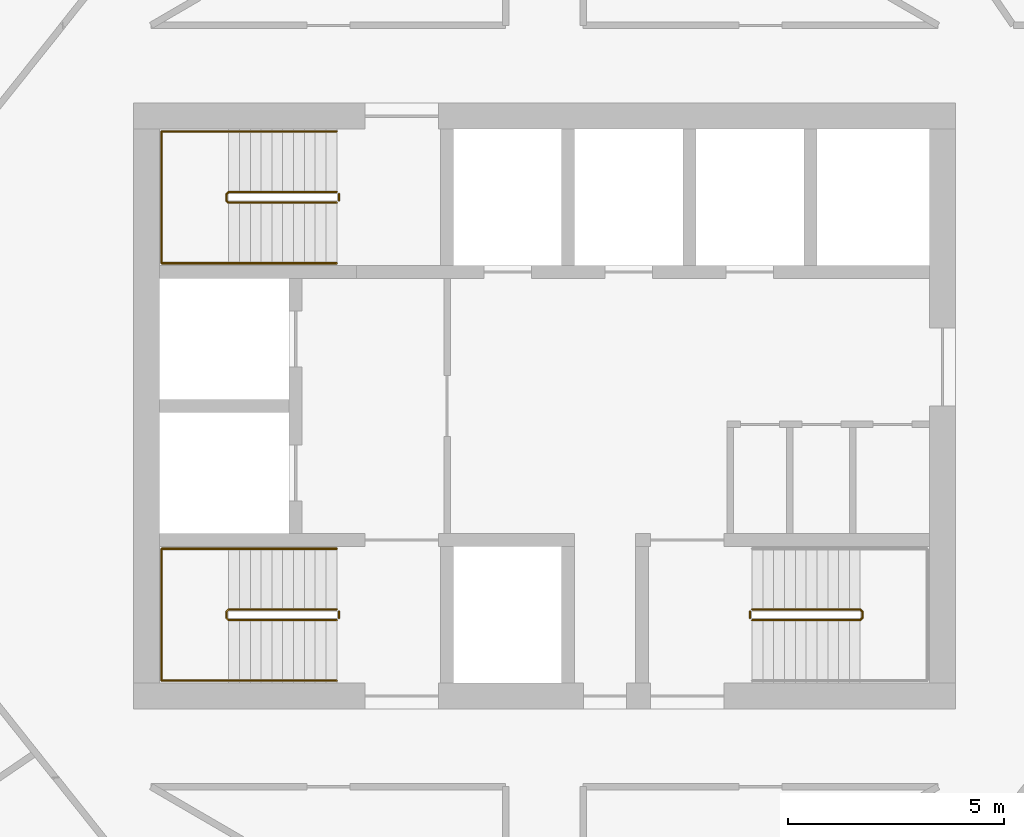
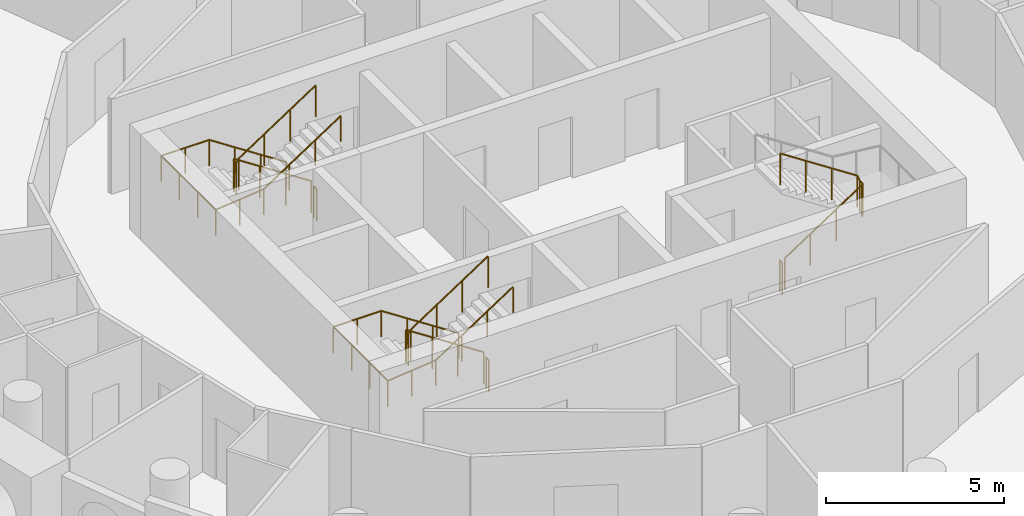
# One storey, part 12 of 13: 8 railings.
"""IFC4 building model written with IfcOpenShell, lengths in metres."""

from ifc_helpers import new_model, si_unit, direction, frame, origin, origin_2d, place, context, subcontext, project, spatial, circle, extrude, material, type_object, element, save


model = new_model("IFC4")

# Units and contexts
model_context = context("Model", 3, precision=1e-05, world=origin(), true_north=direction((0.0, 1.0)))
body_context = subcontext(model_context, "Body", "Model", "MODEL_VIEW")
ifc_project = project(units=[si_unit("LENGTHUNIT", "METRE"), si_unit("AREAUNIT", "SQUARE_METRE"), si_unit("VOLUMEUNIT", "CUBIC_METRE"), si_unit("PLANEANGLEUNIT", "RADIAN"), si_unit("MASSUNIT", "GRAM", prefix="KILO")], contexts=[model_context])

# Site, building, storey
site_placement = place(None, origin())
site = spatial("IfcSite", under=ifc_project, at=site_placement, CompositionType="ELEMENT")
building_placement = place(site_placement, origin())
building = spatial("IfcBuilding", under=site, at=building_placement, Name="Tracery Tower", CompositionType="ELEMENT")
storey_placement = place(building_placement, frame((0.0, 0.0, 231.0)))
storey = spatial("IfcBuildingStorey", under=building, at=storey_placement, Name="L59", CompositionType="ELEMENT", Elevation=231.0)

# Railings
ifc_material_1 = material(Name="Stainless steel and laminated glass", Category="steel")
railing_type_1 = type_object("IfcRailingType", Name="Stair guard 1100", PredefinedType="GUARDRAIL", material=ifc_material_1)
railing_1_placement = place(storey_placement, frame((-4.800048828125, -4.699951171875, 0.16357421875)))
element("IfcRailing", 1, at=railing_1_placement, inside=storey, type_object=railing_type_1, Name="L59 stair ST1 guard 1", PredefinedType="GUARDRAIL", context=body_context, shape_type="SweptSolid", body=[
    extrude(circle(Radius=0.02392578125, at=origin_2d()), frame((0.0, 0.0, 1.076171875), z_axis=(-0.83668449804, 0.0, 0.54768517484), x_axis=(0.0, -1.0, 0.0)), (0.0, 0.0, 1.0), 2.988037109375),
    extrude(circle(Radius=0.02392578125, at=origin_2d()), frame((-2.5, 0.0, 2.71240234375), z_axis=(-0.707106781187, -0.707106781187, 0.0), x_axis=(0.707106781187, -0.707106781187, 0.0)), (0.0, 0.0, 1.0), 0.07080078125),
    extrude(circle(Radius=0.02392578125, at=origin_2d()), frame((-2.550048828125, -0.050048828125, 2.71240234375), z_axis=(0.0, -1.0, 0.0), x_axis=(1.0, 0.0, 0.0)), (0.0, 0.0, 1.0), 0.14990234375),
    extrude(circle(Radius=0.02392578125, at=origin_2d()), frame((-2.550048828125, -0.199951171875, 2.71240234375), z_axis=(0.280808744504, -0.280808744504, 0.917765164963), x_axis=(0.707106781187, 0.707106781187, 0.0)), (0.0, 0.0, 1.0), 0.17822265625),
    extrude(circle(Radius=0.02392578125, at=origin_2d()), frame((-2.5, -0.25, 2.8759765625), z_axis=(0.83668449804, 0.0, 0.54768517484), x_axis=(0.0, 1.0, 0.0)), (0.0, 0.0, 1.0), 2.988037109375),
    extrude(circle(Radius=0.02099609375, at=origin_2d()), origin(), (0.0, 0.0, 1.0), 1.052001953125),
    extrude(circle(Radius=0.02099609375, at=origin_2d()), frame((-0.833251953125, 0.0, 0.54541015625)), (0.0, 0.0, 1.0), 1.052001953125),
    extrude(circle(Radius=0.02099609375, at=origin_2d()), frame((-1.666748046875, 0.0, 1.091064453125)), (0.0, 0.0, 1.0), 1.052001953125),
    extrude(circle(Radius=0.02099609375, at=origin_2d()), frame((-2.5, 0.0, 1.636474609375)), (0.0, 0.0, 1.0), 1.052001953125),
    extrude(circle(Radius=0.02099609375, at=origin_2d()), frame((-2.550048828125, -0.050048828125, 1.636474609375)), (0.0, 0.0, 1.0), 1.052001953125),
    extrude(circle(Radius=0.02099609375, at=origin_2d()), frame((-2.550048828125, -0.199951171875, 1.636474609375)), (0.0, 0.0, 1.0), 1.052001953125),
    extrude(circle(Radius=0.02099609375, at=origin_2d()), frame((-2.5, -0.25, 1.800048828125)), (0.0, 0.0, 1.0), 1.052001953125),
    extrude(circle(Radius=0.02099609375, at=origin_2d()), frame((-1.666748046875, -0.25, 2.345458984375)), (0.0, 0.0, 1.0), 1.052001953125),
    extrude(circle(Radius=0.02099609375, at=origin_2d()), frame((-0.833251953125, -0.25, 2.89111328125)), (0.0, 0.0, 1.0), 1.052001953125),
    extrude(circle(Radius=0.02099609375, at=origin_2d()), frame((0.0, -0.25, 3.4365234375)), (0.0, 0.0, 1.0), 1.052001953125),
])
railing_2_placement = place(storey_placement, frame((-4.75, -4.75, 0.0)))
element("IfcRailing", 2, at=railing_2_placement, inside=storey, type_object=railing_type_1, Name="L59 stair ST1 guard 2", PredefinedType="GUARDRAIL", context=body_context, shape_type="SweptSolid", body=[
    extrude(circle(Radius=0.02392578125, at=origin_2d()), frame((0.0, 0.0, 1.076171875), z_axis=(0.0, -1.0, 0.0), x_axis=(1.0, 0.0, 0.0)), (0.0, 0.0, 1.0), 0.14990234375),
    extrude(circle(Radius=0.02099609375, at=origin_2d()), origin(), (0.0, 0.0, 1.0), 1.052001953125),
    extrude(circle(Radius=0.02099609375, at=origin_2d()), frame((0.0, -0.14990234375, 0.0)), (0.0, 0.0, 1.0), 1.052001953125),
])
railing_3_placement = place(storey_placement, frame((-4.800048828125, 4.949951171875, 0.16357421875)))
element("IfcRailing", 3, at=railing_3_placement, inside=storey, type_object=railing_type_1, Name="L59 stair ST3 guard 1", PredefinedType="GUARDRAIL", context=body_context, shape_type="SweptSolid", body=[
    extrude(circle(Radius=0.02392578125, at=origin_2d()), frame((0.0, 0.0, 1.076171875), z_axis=(-0.83668449804, 0.0, 0.54768517484), x_axis=(0.0, -1.0, 0.0)), (0.0, 0.0, 1.0), 2.988037109375),
    extrude(circle(Radius=0.02392578125, at=origin_2d()), frame((-2.5, 0.0, 2.71240234375), z_axis=(-0.707106781187, -0.707106781187, 0.0), x_axis=(0.707106781187, -0.707106781187, 0.0)), (0.0, 0.0, 1.0), 0.07080078125),
    extrude(circle(Radius=0.02392578125, at=origin_2d()), frame((-2.550048828125, -0.050048828125, 2.71240234375), z_axis=(0.0, -1.0, 0.0), x_axis=(1.0, 0.0, 0.0)), (0.0, 0.0, 1.0), 0.14990234375),
    extrude(circle(Radius=0.02392578125, at=origin_2d()), frame((-2.550048828125, -0.199951171875, 2.71240234375), z_axis=(0.280808744504, -0.280808744504, 0.917765164963), x_axis=(0.707106781187, 0.707106781187, 0.0)), (0.0, 0.0, 1.0), 0.17822265625),
    extrude(circle(Radius=0.02392578125, at=origin_2d()), frame((-2.5, -0.25, 2.8759765625), z_axis=(0.83668449804, 0.0, 0.54768517484), x_axis=(0.0, 1.0, 0.0)), (0.0, 0.0, 1.0), 2.988037109375),
    extrude(circle(Radius=0.02099609375, at=origin_2d()), origin(), (0.0, 0.0, 1.0), 1.052001953125),
    extrude(circle(Radius=0.02099609375, at=origin_2d()), frame((-0.833251953125, 0.0, 0.54541015625)), (0.0, 0.0, 1.0), 1.052001953125),
    extrude(circle(Radius=0.02099609375, at=origin_2d()), frame((-1.666748046875, 0.0, 1.091064453125)), (0.0, 0.0, 1.0), 1.052001953125),
    extrude(circle(Radius=0.02099609375, at=origin_2d()), frame((-2.5, 0.0, 1.636474609375)), (0.0, 0.0, 1.0), 1.052001953125),
    extrude(circle(Radius=0.02099609375, at=origin_2d()), frame((-2.550048828125, -0.050048828125, 1.636474609375)), (0.0, 0.0, 1.0), 1.052001953125),
    extrude(circle(Radius=0.02099609375, at=origin_2d()), frame((-2.550048828125, -0.199951171875, 1.636474609375)), (0.0, 0.0, 1.0), 1.052001953125),
    extrude(circle(Radius=0.02099609375, at=origin_2d()), frame((-2.5, -0.25, 1.800048828125)), (0.0, 0.0, 1.0), 1.052001953125),
    extrude(circle(Radius=0.02099609375, at=origin_2d()), frame((-1.666748046875, -0.25, 2.345458984375)), (0.0, 0.0, 1.0), 1.052001953125),
    extrude(circle(Radius=0.02099609375, at=origin_2d()), frame((-0.833251953125, -0.25, 2.89111328125)), (0.0, 0.0, 1.0), 1.052001953125),
    extrude(circle(Radius=0.02099609375, at=origin_2d()), frame((0.0, -0.25, 3.4365234375)), (0.0, 0.0, 1.0), 1.052001953125),
])
railing_4_placement = place(storey_placement, frame((-4.75, 4.89990234375, 0.0)))
element("IfcRailing", 4, at=railing_4_placement, inside=storey, type_object=railing_type_1, Name="L59 stair ST3 guard 2", PredefinedType="GUARDRAIL", context=body_context, shape_type="SweptSolid", body=[
    extrude(circle(Radius=0.02392578125, at=origin_2d()), frame((0.0, 0.0, 1.076171875), z_axis=(0.0, -1.0, 0.0), x_axis=(1.0, 0.0, 0.0)), (0.0, 0.0, 1.0), 0.14990234375),
    extrude(circle(Radius=0.02099609375, at=origin_2d()), origin(), (0.0, 0.0, 1.0), 1.052001953125),
    extrude(circle(Radius=0.02099609375, at=origin_2d()), frame((0.0, -0.14990234375, 0.0)), (0.0, 0.0, 1.0), 1.052001953125),
])
railing_5_placement = place(storey_placement, frame((4.800048828125, -4.949951171875, 0.16357421875)))
element("IfcRailing", 5, at=railing_5_placement, inside=storey, type_object=railing_type_1, Name="L59 stair ST2 guard 1", PredefinedType="GUARDRAIL", context=body_context, shape_type="SweptSolid", body=[
    extrude(circle(Radius=0.02392578125, at=origin_2d()), frame((0.0, 0.0, 1.076171875), z_axis=(0.83668449804, 0.0, 0.54768517484), x_axis=(0.0, 1.0, 0.0)), (0.0, 0.0, 1.0), 2.988037109375),
    extrude(circle(Radius=0.02392578125, at=origin_2d()), frame((2.5, 0.0, 2.71240234375), z_axis=(0.707106781187, 0.707106781187, 0.0), x_axis=(-0.707106781187, 0.707106781187, 0.0)), (0.0, 0.0, 1.0), 0.07080078125),
    extrude(circle(Radius=0.02392578125, at=origin_2d()), frame((2.550048828125, 0.050048828125, 2.71240234375), z_axis=(0.0, 1.0, 0.0), x_axis=(-1.0, 0.0, 0.0)), (0.0, 0.0, 1.0), 0.14990234375),
    extrude(circle(Radius=0.02392578125, at=origin_2d()), frame((2.550048828125, 0.199951171875, 2.71240234375), z_axis=(-0.280808744504, 0.280808744504, 0.917765164963), x_axis=(-0.707106781187, -0.707106781187, 0.0)), (0.0, 0.0, 1.0), 0.17822265625),
    extrude(circle(Radius=0.02392578125, at=origin_2d()), frame((2.5, 0.25, 2.8759765625), z_axis=(-0.83668449804, 0.0, 0.54768517484), x_axis=(0.0, -1.0, 0.0)), (0.0, 0.0, 1.0), 2.988037109375),
    extrude(circle(Radius=0.02099609375, at=origin_2d()), origin(), (0.0, 0.0, 1.0), 1.052001953125),
    extrude(circle(Radius=0.02099609375, at=origin_2d()), frame((0.833251953125, 0.0, 0.54541015625)), (0.0, 0.0, 1.0), 1.052001953125),
    extrude(circle(Radius=0.02099609375, at=origin_2d()), frame((1.666748046875, 0.0, 1.091064453125)), (0.0, 0.0, 1.0), 1.052001953125),
    extrude(circle(Radius=0.02099609375, at=origin_2d()), frame((2.5, 0.0, 1.636474609375)), (0.0, 0.0, 1.0), 1.052001953125),
    extrude(circle(Radius=0.02099609375, at=origin_2d()), frame((2.550048828125, 0.050048828125, 1.636474609375)), (0.0, 0.0, 1.0), 1.052001953125),
    extrude(circle(Radius=0.02099609375, at=origin_2d()), frame((2.550048828125, 0.199951171875, 1.636474609375)), (0.0, 0.0, 1.0), 1.052001953125),
    extrude(circle(Radius=0.02099609375, at=origin_2d()), frame((2.5, 0.25, 1.800048828125)), (0.0, 0.0, 1.0), 1.052001953125),
    extrude(circle(Radius=0.02099609375, at=origin_2d()), frame((1.666748046875, 0.25, 2.345458984375)), (0.0, 0.0, 1.0), 1.052001953125),
    extrude(circle(Radius=0.02099609375, at=origin_2d()), frame((0.833251953125, 0.25, 2.89111328125)), (0.0, 0.0, 1.0), 1.052001953125),
    extrude(circle(Radius=0.02099609375, at=origin_2d()), frame((0.0, 0.25, 3.4365234375)), (0.0, 0.0, 1.0), 1.052001953125),
])
railing_6_placement = place(storey_placement, frame((4.75, -4.89990234375, 0.0)))
element("IfcRailing", 6, at=railing_6_placement, inside=storey, type_object=railing_type_1, Name="L59 stair ST2 guard 2", PredefinedType="GUARDRAIL", context=body_context, shape_type="SweptSolid", body=[
    extrude(circle(Radius=0.02392578125, at=origin_2d()), frame((0.0, 0.0, 1.076171875), z_axis=(0.0, 1.0, 0.0), x_axis=(-1.0, 0.0, 0.0)), (0.0, 0.0, 1.0), 0.14990234375),
    extrude(circle(Radius=0.02099609375, at=origin_2d()), origin(), (0.0, 0.0, 1.0), 1.052001953125),
    extrude(circle(Radius=0.02099609375, at=origin_2d()), frame((0.0, 0.14990234375, 0.0)), (0.0, 0.0, 1.0), 1.052001953125),
])
ifc_material_2 = material(Name="Stainless steel and laminated glass", Category="steel")
railing_type_2 = type_object("IfcRailingType", Name="Stair handrail 900", PredefinedType="HANDRAIL", material=ifc_material_2)
railing_7_placement = place(storey_placement, frame((-4.800048828125, -3.300048828125, 0.16357421875)))
element("IfcRailing", 7, at=railing_7_placement, inside=storey, type_object=railing_type_2, Name="L59 stair ST1 handrail 1", PredefinedType="HANDRAIL", context=body_context, shape_type="SweptSolid", body=[
    extrude(circle(Radius=0.02392578125, at=origin_2d()), frame((0.0, 0.0, 0.8759765625), z_axis=(-0.83668449804, 0.0, 0.54768517484), x_axis=(0.0, -1.0, 0.0)), (0.0, 0.0, 1.0), 2.988037109375),
    extrude(circle(Radius=0.02392578125, at=origin_2d()), frame((-2.5, 0.0, 2.51220703125), z_axis=(-1.0, 0.0, 0.0), x_axis=(0.0, -1.0, 0.0)), (0.0, 0.0, 1.0), 1.550048828125),
    extrude(circle(Radius=0.02392578125, at=origin_2d()), frame((-4.050048828125, 0.0, 2.51220703125), z_axis=(0.0, -1.0, 0.0), x_axis=(1.0, 0.0, 0.0)), (0.0, 0.0, 1.0), 3.050048828125),
    extrude(circle(Radius=0.02392578125, at=origin_2d()), frame((-4.050048828125, -3.050048828125, 2.51220703125), z_axis=(0.994477953863, 0.0, 0.104945696817), x_axis=(0.0, 1.0, 0.0)), (0.0, 0.0, 1.0), 1.55859375),
    extrude(circle(Radius=0.02392578125, at=origin_2d()), frame((-2.5, -3.050048828125, 2.67578125), z_axis=(0.83668449804, 0.0, 0.54768517484), x_axis=(0.0, 1.0, 0.0)), (0.0, 0.0, 1.0), 2.988037109375),
    extrude(circle(Radius=0.02099609375, at=origin_2d()), origin(), (0.0, 0.0, 1.0), 0.851806640625),
    extrude(circle(Radius=0.02099609375, at=origin_2d()), frame((-0.833251953125, 0.0, 0.54541015625)), (0.0, 0.0, 1.0), 0.851806640625),
    extrude(circle(Radius=0.02099609375, at=origin_2d()), frame((-1.666748046875, 0.0, 1.091064453125)), (0.0, 0.0, 1.0), 0.851806640625),
    extrude(circle(Radius=0.02099609375, at=origin_2d()), frame((-2.5, 0.0, 1.636474609375)), (0.0, 0.0, 1.0), 0.851806640625),
    extrude(circle(Radius=0.02099609375, at=origin_2d()), frame((-3.27490234375, 0.0, 1.636474609375)), (0.0, 0.0, 1.0), 0.851806640625),
    extrude(circle(Radius=0.02099609375, at=origin_2d()), frame((-4.050048828125, 0.0, 1.636474609375)), (0.0, 0.0, 1.0), 0.851806640625),
    extrude(circle(Radius=0.02099609375, at=origin_2d()), frame((-4.050048828125, -1.0166015625, 1.636474609375)), (0.0, 0.0, 1.0), 0.851806640625),
    extrude(circle(Radius=0.02099609375, at=origin_2d()), frame((-4.050048828125, -2.033447265625, 1.636474609375)), (0.0, 0.0, 1.0), 0.851806640625),
    extrude(circle(Radius=0.02099609375, at=origin_2d()), frame((-4.050048828125, -3.050048828125, 1.636474609375)), (0.0, 0.0, 1.0), 0.851806640625),
    extrude(circle(Radius=0.02099609375, at=origin_2d()), frame((-3.27490234375, -3.050048828125, 1.71826171875)), (0.0, 0.0, 1.0), 0.851806640625),
    extrude(circle(Radius=0.02099609375, at=origin_2d()), frame((-2.5, -3.050048828125, 1.800048828125)), (0.0, 0.0, 1.0), 0.851806640625),
    extrude(circle(Radius=0.02099609375, at=origin_2d()), frame((-1.666748046875, -3.050048828125, 2.345458984375)), (0.0, 0.0, 1.0), 0.851806640625),
    extrude(circle(Radius=0.02099609375, at=origin_2d()), frame((-0.833251953125, -3.050048828125, 2.89111328125)), (0.0, 0.0, 1.0), 0.851806640625),
    extrude(circle(Radius=0.02099609375, at=origin_2d()), frame((0.0, -3.050048828125, 3.4365234375)), (0.0, 0.0, 1.0), 0.851806640625),
])
railing_8_placement = place(storey_placement, frame((-4.800048828125, 6.35009765625, 0.16357421875)))
element("IfcRailing", 8, at=railing_8_placement, inside=storey, type_object=railing_type_2, Name="L59 stair ST3 handrail 1", PredefinedType="HANDRAIL", context=body_context, shape_type="SweptSolid", body=[
    extrude(circle(Radius=0.02392578125, at=origin_2d()), frame((0.0, 0.0, 0.8759765625), z_axis=(-0.83668449804, 0.0, 0.54768517484), x_axis=(0.0, -1.0, 0.0)), (0.0, 0.0, 1.0), 2.988037109375),
    extrude(circle(Radius=0.02392578125, at=origin_2d()), frame((-2.5, 0.0, 2.51220703125), z_axis=(-1.0, 0.0, 0.0), x_axis=(0.0, -1.0, 0.0)), (0.0, 0.0, 1.0), 1.550048828125),
    extrude(circle(Radius=0.02392578125, at=origin_2d()), frame((-4.050048828125, 0.0, 2.51220703125), z_axis=(0.0, -1.0, 0.0), x_axis=(1.0, 0.0, 0.0)), (0.0, 0.0, 1.0), 3.050048828125),
    extrude(circle(Radius=0.02392578125, at=origin_2d()), frame((-4.050048828125, -3.050048828125, 2.51220703125), z_axis=(0.994477953863, 0.0, 0.104945696817), x_axis=(0.0, 1.0, 0.0)), (0.0, 0.0, 1.0), 1.55859375),
    extrude(circle(Radius=0.02392578125, at=origin_2d()), frame((-2.5, -3.050048828125, 2.67578125), z_axis=(0.83668449804, 0.0, 0.54768517484), x_axis=(0.0, 1.0, 0.0)), (0.0, 0.0, 1.0), 2.988037109375),
    extrude(circle(Radius=0.02099609375, at=origin_2d()), origin(), (0.0, 0.0, 1.0), 0.851806640625),
    extrude(circle(Radius=0.02099609375, at=origin_2d()), frame((-0.833251953125, 0.0, 0.54541015625)), (0.0, 0.0, 1.0), 0.851806640625),
    extrude(circle(Radius=0.02099609375, at=origin_2d()), frame((-1.666748046875, 0.0, 1.091064453125)), (0.0, 0.0, 1.0), 0.851806640625),
    extrude(circle(Radius=0.02099609375, at=origin_2d()), frame((-2.5, 0.0, 1.636474609375)), (0.0, 0.0, 1.0), 0.851806640625),
    extrude(circle(Radius=0.02099609375, at=origin_2d()), frame((-3.27490234375, 0.0, 1.636474609375)), (0.0, 0.0, 1.0), 0.851806640625),
    extrude(circle(Radius=0.02099609375, at=origin_2d()), frame((-4.050048828125, 0.0, 1.636474609375)), (0.0, 0.0, 1.0), 0.851806640625),
    extrude(circle(Radius=0.02099609375, at=origin_2d()), frame((-4.050048828125, -1.0166015625, 1.636474609375)), (0.0, 0.0, 1.0), 0.851806640625),
    extrude(circle(Radius=0.02099609375, at=origin_2d()), frame((-4.050048828125, -2.033447265625, 1.636474609375)), (0.0, 0.0, 1.0), 0.851806640625),
    extrude(circle(Radius=0.02099609375, at=origin_2d()), frame((-4.050048828125, -3.050048828125, 1.636474609375)), (0.0, 0.0, 1.0), 0.851806640625),
    extrude(circle(Radius=0.02099609375, at=origin_2d()), frame((-3.27490234375, -3.050048828125, 1.71826171875)), (0.0, 0.0, 1.0), 0.851806640625),
    extrude(circle(Radius=0.02099609375, at=origin_2d()), frame((-2.5, -3.050048828125, 1.800048828125)), (0.0, 0.0, 1.0), 0.851806640625),
    extrude(circle(Radius=0.02099609375, at=origin_2d()), frame((-1.666748046875, -3.050048828125, 2.345458984375)), (0.0, 0.0, 1.0), 0.851806640625),
    extrude(circle(Radius=0.02099609375, at=origin_2d()), frame((-0.833251953125, -3.050048828125, 2.89111328125)), (0.0, 0.0, 1.0), 0.851806640625),
    extrude(circle(Radius=0.02099609375, at=origin_2d()), frame((0.0, -3.050048828125, 3.4365234375)), (0.0, 0.0, 1.0), 0.851806640625),
])

save(model, "model.ifc")
